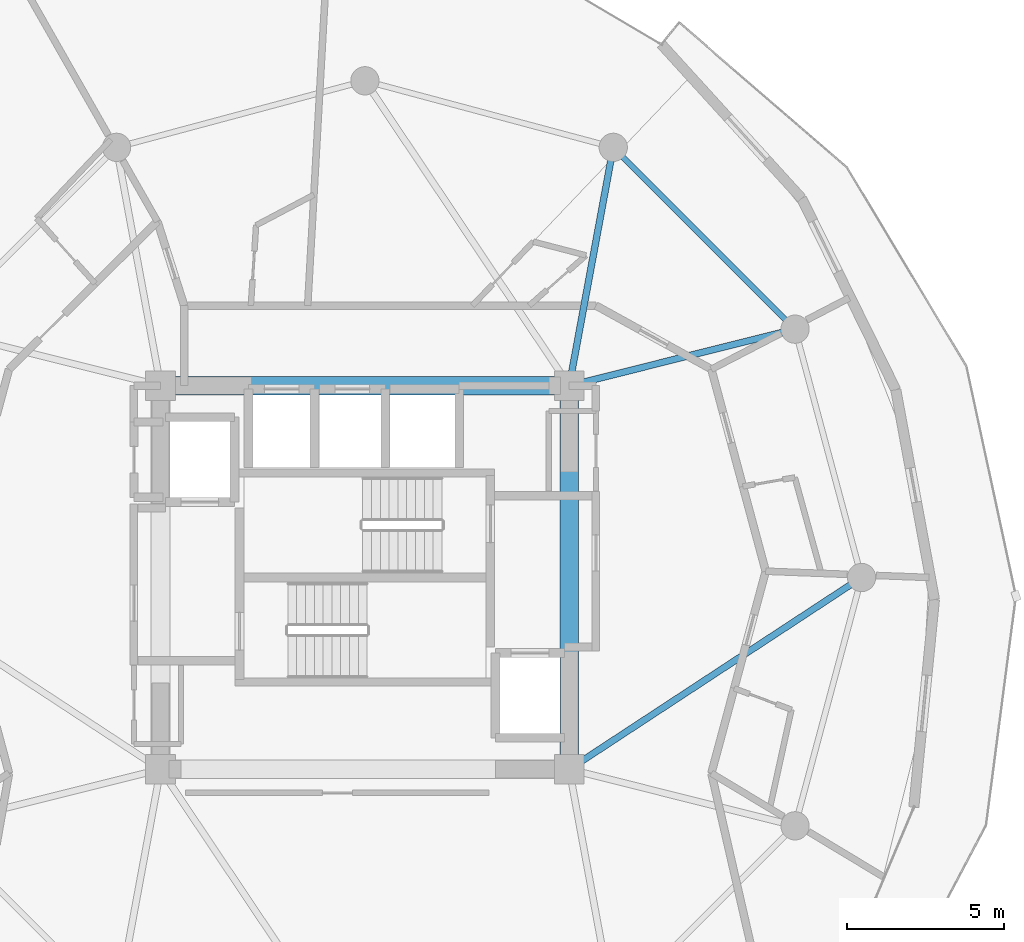
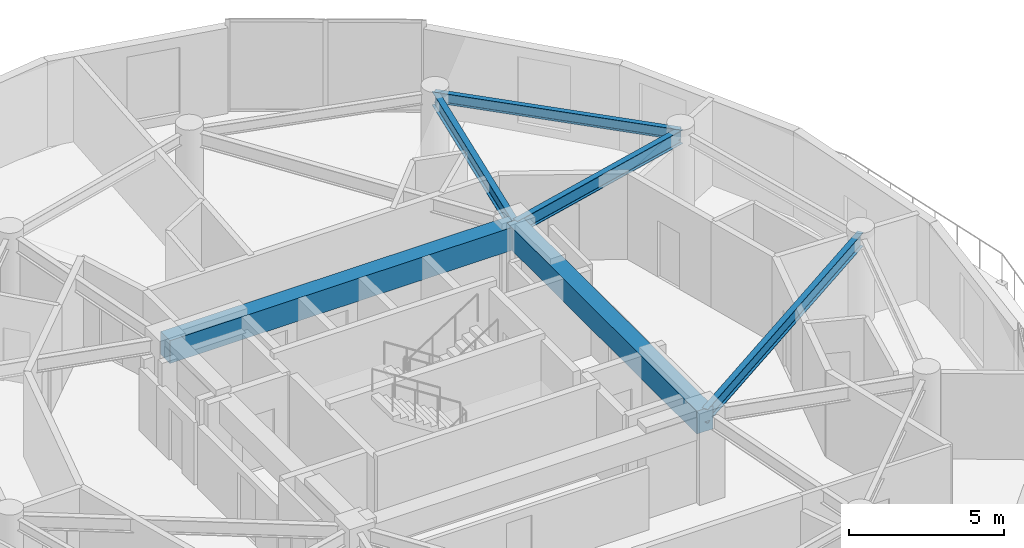
# One storey, part 10 of 21: 6 beams.
"""IFC4 building model written with IfcOpenShell, lengths in metres."""

from ifc_helpers import new_model, si_unit, direction, frame, origin, origin_2d, place, context, subcontext, project, spatial, rectangle, i_section, extrude, material, material_profile, profile_set, type_object, element, save


model = new_model("IFC4")

# Units and contexts
model_context = context("Model", 3, precision=1e-05, world=origin(), true_north=direction((0.0, 1.0)))
body_context = subcontext(model_context, "Body", "Model", "MODEL_VIEW")
ifc_project = project(units=[si_unit("LENGTHUNIT", "METRE"), si_unit("AREAUNIT", "SQUARE_METRE"), si_unit("VOLUMEUNIT", "CUBIC_METRE"), si_unit("PLANEANGLEUNIT", "RADIAN"), si_unit("MASSUNIT", "GRAM", prefix="KILO")], contexts=[model_context])

# Site, building, storey
site_placement = place(None, origin())
site = spatial("IfcSite", under=ifc_project, at=site_placement, CompositionType="ELEMENT")
building_placement = place(site_placement, origin())
building = spatial("IfcBuilding", under=site, at=building_placement, Name="Solvirekh Grand Hotel", CompositionType="ELEMENT")
storey_placement = place(building_placement, frame((0.0, 0.0, 223.60009765625)))
storey = spatial("IfcBuildingStorey", under=building, at=storey_placement, Name="L58", CompositionType="ELEMENT", Elevation=223.60009765625)

# Beams
ifc_material_1 = material(Name="Concrete C50/60", Category="concrete")
ifc_material_profile_1 = material_profile(ifc_material_1, rectangle(XDim=0.60009765625, YDim=0.89990234375, at=origin_2d()), Name="RC BEAM 600X900")
ifc_profile_set_1 = profile_set([ifc_material_profile_1], Name="Concrete C50/60")
beam_type_1 = type_object("IfcBeamType", Name="Beam_Core_RC900", PredefinedType="BEAM", material=ifc_profile_set_1)
beam_1_placement = place(storey_placement, frame((6.5, -6.10009765625, 2.909912109375), z_axis=(0.0, 1.0, 0.0), x_axis=(-1.0, 0.0, 0.0)))
element("IfcBeam", 1, at=beam_1_placement, inside=storey, type_object=beam_type_1, Name="L58 core coupling ring beam 2", PredefinedType="BEAM", context=body_context, shape_type="SweptSolid", body=[
    extrude(rectangle(XDim=0.60009765625, YDim=0.89990234375, at=origin_2d()), origin(), (0.0, 0.0, 1.0), 12.2001953125),
])
beam_2_placement = place(storey_placement, frame((6.5, 6.10009765625, 2.909912109375), z_axis=(-1.0, 0.0, 0.0), x_axis=(0.0, -1.0, 0.0)))
element("IfcBeam", 2, at=beam_2_placement, inside=storey, type_object=beam_type_1, Name="L58 core coupling ring beam 3", PredefinedType="BEAM", context=body_context, shape_type="SweptSolid", body=[
    extrude(rectangle(XDim=0.60009765625, YDim=0.89990234375, at=origin_2d()), origin(), (0.0, 0.0, 1.0), 13.0),
])
ifc_material_2 = material(Name="Steel S355", Category="steel")
ifc_material_profile_2 = material_profile(ifc_material_2, i_section(OverallWidth=0.2119140625, OverallDepth=0.5439453125, WebThickness=0.011962890625, FlangeThickness=0.01904296875, FilletRadius=0.013916015625, at=origin_2d()), Name="W530X123")
ifc_profile_set_2 = profile_set([ifc_material_profile_2], Name="Steel S355")
beam_type_2 = type_object("IfcBeamType", Name="Beam_Radial_W530H", PredefinedType="BEAM", material=ifc_profile_set_2)
beam_3_placement = place(storey_placement, frame((6.5, -6.10009765625, 3.087890625), z_axis=(0.836174064962, 0.548464158432, 0.0), x_axis=(-0.548464158432, 0.836174064962, 0.0)))
element("IfcBeam", 3, at=beam_3_placement, inside=storey, type_object=beam_type_2, Name="L58 radial floor beam R01", PredefinedType="BEAM", context=body_context, shape_type="SweptSolid", body=[
    extrude(i_section(OverallWidth=0.2119140625, OverallDepth=0.5439453125, WebThickness=0.011962890625, FlangeThickness=0.01904296875, FilletRadius=0.013916015625, at=origin_2d()), origin(), (0.0, 0.0, 1.0), 11.1220703125),
])
beam_4_placement = place(storey_placement, frame((6.5, 6.10009765625, 3.087890625), z_axis=(0.970014367692, 0.243047580675, 0.0), x_axis=(-0.243047580675, 0.970014367692, 0.0)))
element("IfcBeam", 4, at=beam_4_placement, inside=storey, type_object=beam_type_2, Name="L58 radial floor beam R02", PredefinedType="BEAM", context=body_context, shape_type="SweptSolid", body=[
    extrude(i_section(OverallWidth=0.2119140625, OverallDepth=0.5439453125, WebThickness=0.011962890625, FlangeThickness=0.01904296875, FilletRadius=0.013916015625, at=origin_2d()), origin(), (0.0, 0.0, 1.0), 7.4052734375),
])
beam_5_placement = place(storey_placement, frame((6.5, 6.10009765625, 3.087890625), z_axis=(0.181542769111, 0.983383049978, 0.0), x_axis=(-0.983383049978, 0.181542769111, 0.0)))
element("IfcBeam", 5, at=beam_5_placement, inside=storey, type_object=beam_type_2, Name="L58 radial floor beam R03", PredefinedType="BEAM", context=body_context, shape_type="SweptSolid", body=[
    extrude(i_section(OverallWidth=0.2119140625, OverallDepth=0.5439453125, WebThickness=0.011962890625, FlangeThickness=0.01904296875, FilletRadius=0.013916015625, at=origin_2d()), origin(), (0.0, 0.0, 1.0), 7.711181640625),
])
ifc_material_profile_3 = material_profile(ifc_material_2, i_section(OverallWidth=0.180908203125, OverallDepth=0.4169921875, WebThickness=0.010009765625, FlangeThickness=0.01611328125, FilletRadius=0.011962890625, at=origin_2d()), Name="W410X85")
ifc_profile_set_3 = profile_set([ifc_material_profile_3], Name="Steel S355")
beam_type_3 = type_object("IfcBeamType", Name="Spandrel_Ring_W410", PredefinedType="SPANDREL", material=ifc_profile_set_3)
beam_6_placement = place(storey_placement, frame((13.68310546875, 7.89990234375, 3.15185546875), z_axis=(-0.707106781187, 0.707106781187, 0.0), x_axis=(-0.707106781187, -0.707106781187, 0.0)))
element("IfcBeam", 6, at=beam_6_placement, inside=storey, type_object=beam_type_3, Name="L58 perimeter spandrel beam 2", PredefinedType="SPANDREL", context=body_context, shape_type="SweptSolid", body=[
    extrude(i_section(OverallWidth=0.180908203125, OverallDepth=0.4169921875, WebThickness=0.010009765625, FlangeThickness=0.01611328125, FilletRadius=0.011962890625, at=origin_2d()), origin(), (0.0, 0.0, 1.0), 8.1787109375),
])

save(model, "model.ifc")
